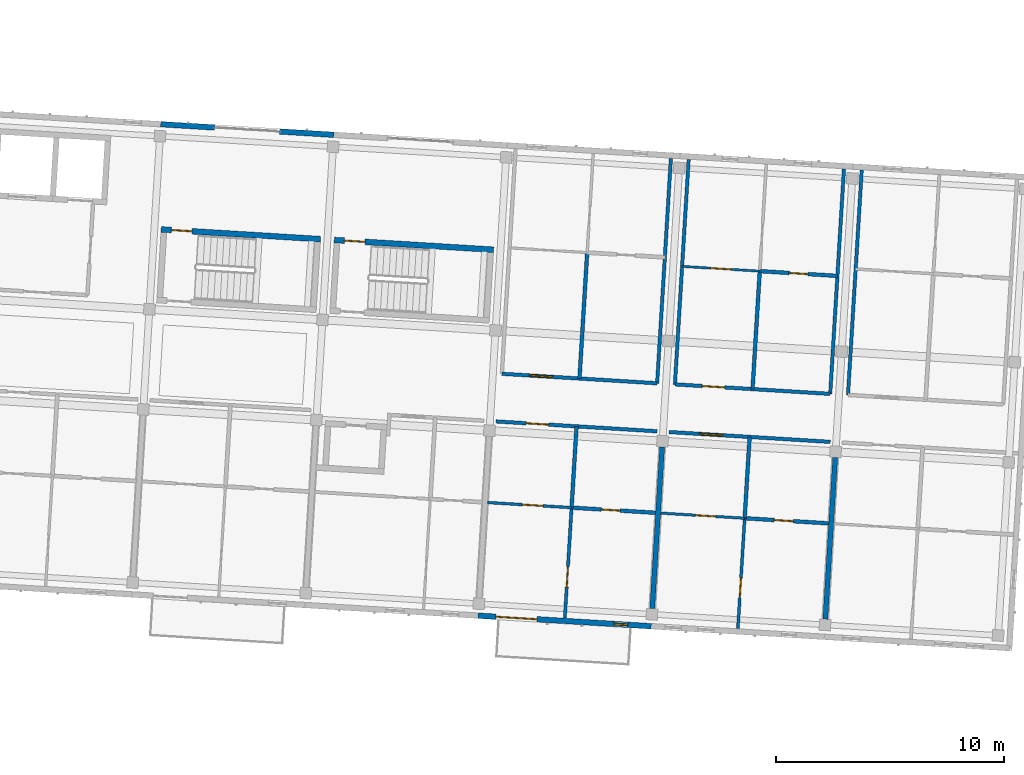
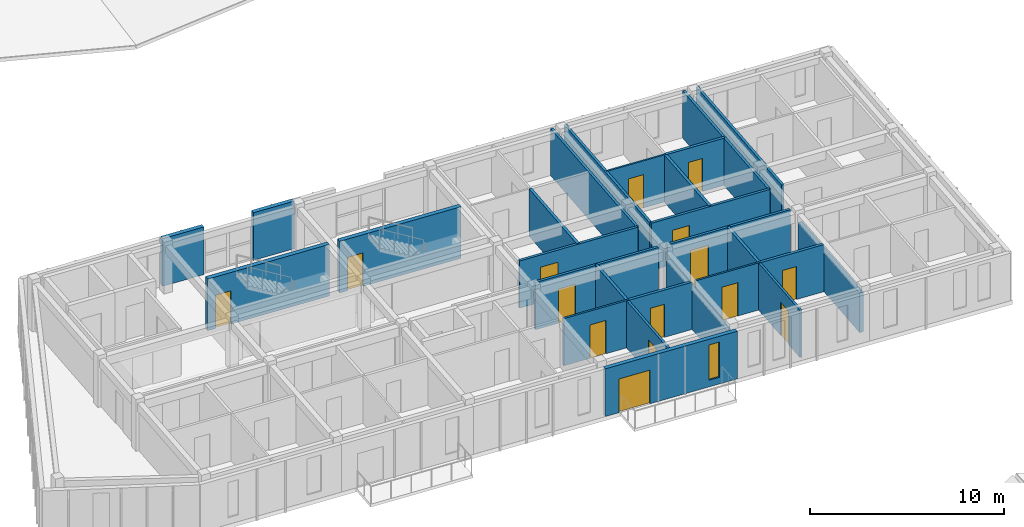
# One storey, part 22 of 74: 27 walls, 15 doors, 1 window, 16 openings.
"""IFC4 building model written with IfcOpenShell, lengths in metres."""

import ifcopenshell
import ifcopenshell.guid

model = None  # the IFC model being written
_history = None  # IfcOwnerHistory: only IFC2X3 demands one
_inside = {}  # id of a spatial element -> (the spatial element, [elements in it])
_under = {}  # id of a project, library or spatial element -> (it, [spatial elements below it])
_declared = {}  # id of a project -> (the project, [libraries it declares])
_typed = {}  # id of a type object -> (the type object, [elements of that type])
_made_of = {}  # id of a material, layer set ... -> (it, [elements and type objects made of it])


def new_model(schema):
    """Start an empty IFC model of exactly this schema.

    Asked for "IFC4X3", IfcOpenShell would pick the latest addendum, in which some entities
    have other attributes; the version numbers below select the first issue.
    IFC2X3 requires an IfcOwnerHistory on every rooted entity: one is made here for all.
    """
    global model, _history
    if schema == "IFC4X3":
        model = ifcopenshell.file(schema_version=(4, 3, 0, 0))
    else:
        model = ifcopenshell.file(schema=schema)
    _inside.clear()
    _under.clear()
    _declared.clear()
    _typed.clear()
    _made_of.clear()
    _history = None
    if model.schema == "IFC2X3":
        org = make("IfcOrganization", Name="unknown")
        user = make(
            "IfcPersonAndOrganization",
            ThePerson=make("IfcPerson", FamilyName="unknown"),
            TheOrganization=org,
        )
        app = make(
            "IfcApplication",
            ApplicationDeveloper=org,
            Version="unknown",
            ApplicationFullName="unknown",
            ApplicationIdentifier="unknown",
        )
        _history = make(
            "IfcOwnerHistory",
            OwningUser=user,
            OwningApplication=app,
            ChangeAction="ADDED",
            CreationDate=0,
        )
    return model


def make(cls, **values):
    """One entity of the class cls with the attributes given. An attribute that is None is left unset."""
    return model.create_entity(
        cls, **{name: value for name, value in values.items() if value is not None}
    )


def rooted(cls, **values):
    """An entity with a GlobalId (a new one), such as an element, a storey or a relation."""
    return make(cls, GlobalId=ifcopenshell.guid.new(), OwnerHistory=_history, **values)


def si_unit(unit_type, name, prefix=None):
    """IfcSIUnit, for example si_unit("LENGTHUNIT", "METRE", prefix="MILLI")."""
    return make("IfcSIUnit", UnitType=unit_type, Prefix=prefix, Name=name)


def assignment(units):
    """IfcUnitAssignment: the units of a project."""
    return None if units is None else make("IfcUnitAssignment", Units=units)


def point(xyz):
    """IfcCartesianPoint."""
    return None if xyz is None else make("IfcCartesianPoint", Coordinates=xyz)


def direction(xyz):
    """IfcDirection."""
    return None if xyz is None else make("IfcDirection", DirectionRatios=xyz)


def frame(location, z_axis=None, x_axis=None):
    """IfcAxis2Placement3D, a coordinate frame: its origin and axes. An axis left out is left unset."""
    return make(
        "IfcAxis2Placement3D",
        Location=point(location),
        Axis=direction(z_axis),
        RefDirection=direction(x_axis),
    )


def frame_2d(location, x_axis=None):
    """IfcAxis2Placement2D, a coordinate frame in the plane: its origin and x axis."""
    return make(
        "IfcAxis2Placement2D", Location=point(location), RefDirection=direction(x_axis)
    )


def origin():
    """The frame at (0, 0, 0) with its axes left unset."""
    return frame((0.0, 0.0, 0.0))


def place(relative_to, where):
    """IfcLocalPlacement: puts the frame where relative to a parent placement (None: the world)."""
    return make(
        "IfcLocalPlacement", PlacementRelTo=relative_to, RelativePlacement=where
    )


def context(
    kind, dimensions, precision=None, world=None, true_north=None, identifier=None
):
    """IfcGeometricRepresentationContext, for example the 3D "Model" context."""
    return make(
        "IfcGeometricRepresentationContext",
        ContextIdentifier=identifier,
        ContextType=kind,
        CoordinateSpaceDimension=dimensions,
        Precision=precision,
        WorldCoordinateSystem=world,
        TrueNorth=true_north,
    )


def subcontext(parent, identifier, kind, view, scale=None):
    """IfcGeometricRepresentationSubContext, for example "Body" below "Model"."""
    return make(
        "IfcGeometricRepresentationSubContext",
        ContextIdentifier=identifier,
        ContextType=kind,
        ParentContext=parent,
        TargetScale=scale,
        TargetView=view,
    )


def project(units=None, contexts=None):
    """IfcProject with its units and contexts."""
    return rooted(
        "IfcProject",
        Name="project",
        RepresentationContexts=contexts,
        UnitsInContext=assignment(units),
    )


def spatial(cls, under=None, at=None, **own):
    """A site, building, storey or space (cls), placed at a placement, below another one or the project."""
    s = rooted(cls, ObjectPlacement=at, **own)
    if under is not None:
        _under.setdefault(under.id(), (under, []))[1].append(s)
    return s


def profile(cls, at=None, kind="AREA", **sizes):
    """A parametric profile (cls). Its sizes go by their IFC names, for example OverallWidth=200.0."""
    return make(cls, ProfileType=kind, Position=at, **sizes)


def rectangle(**sizes):
    """IfcRectangleProfileDef."""
    return profile("IfcRectangleProfileDef", **sizes)


def extrude(swept, where, along, depth):
    """IfcExtrudedAreaSolid: the profile swept, set in the frame where, extruded along a direction by depth."""
    return make(
        "IfcExtrudedAreaSolid",
        SweptArea=swept,
        Position=where,
        ExtrudedDirection=direction(along),
        Depth=depth,
    )


def shape(context_of_items, identifier, shape_type, items):
    """IfcShapeRepresentation: the items that make up one representation, for example the "Body"."""
    return make(
        "IfcShapeRepresentation",
        ContextOfItems=context_of_items,
        RepresentationIdentifier=identifier,
        RepresentationType=shape_type,
        Items=items,
    )


def material(Name=None, Category=None):
    """IfcMaterial."""
    return make("IfcMaterial", Name=Name, Category=Category)


def layer(
    of_material, thickness, ventilated=None, Name=None, Category=None, Priority=None
):
    """IfcMaterialLayer: one layer of a wall or slab, of a material (None: an air gap)."""
    return make(
        "IfcMaterialLayer",
        Material=of_material,
        LayerThickness=thickness,
        IsVentilated=ventilated,
        Name=Name,
        Category=Category,
        Priority=Priority,
    )


def layer_set(layers, Name=None):
    """IfcMaterialLayerSet."""
    return make("IfcMaterialLayerSet", MaterialLayers=layers, LayerSetName=Name)


def made_of(thing, what):
    """Note that an element or type object is made of a material, layer set ...; save() writes the relation."""
    if what is not None:
        _made_of.setdefault(what.id(), (what, []))[1].append(thing)
    return thing


def type_object(cls, material=None, **own):
    """A type object (cls), such as IfcWallType, which elements share."""
    return made_of(rooted(cls, **own), material)


def element(
    cls,
    number,
    at=None,
    inside=None,
    cuts=None,
    type_object=None,
    material=None,
    context=None,
    identifier="Body",
    shape_type=None,
    held_by="IfcProductDefinitionShape",
    body=None,
    shapes=None,
    **own,
):
    """One element of the class cls, such as IfcWall. Its Tag is "e" and its number.

    at: its placement. inside: the storey or other place that contains it. cuts: it is an
    opening in that element (IfcRelVoidsElement). A single representation is given by context,
    identifier, shape_type and body (its items); several are given by shapes. held_by: the class
    of the entity that holds the representations. save() writes the other relations.
    """
    e = rooted(cls, Tag="e%d" % number, ObjectPlacement=at, **own)
    if body is not None:
        shapes = [shape(context, identifier, shape_type, body)]
    if shapes is not None:
        e.Representation = make(held_by, Representations=shapes)
    if inside is not None:
        _inside.setdefault(inside.id(), (inside, []))[1].append(e)
    if cuts is not None:
        rooted(
            "IfcRelVoidsElement", RelatingBuildingElement=cuts, RelatedOpeningElement=e
        )
    if type_object is not None:
        _typed.setdefault(type_object.id(), (type_object, []))[1].append(e)
    return made_of(e, material)


def fill(opening, filler):
    """IfcRelFillsElement: the door or window that sits in an opening."""
    return rooted(
        "IfcRelFillsElement",
        RelatingOpeningElement=opening,
        RelatedBuildingElement=filler,
    )


def aggregate(whole, parts):
    """IfcRelAggregates: a whole, such as a stair, and the parts it consists of."""
    return rooted("IfcRelAggregates", RelatingObject=whole, RelatedObjects=parts)


def save(model, path):
    """Write the relations noted so far, then the file.

    IfcRelAggregates (storeys below a building ...), IfcRelContainedInSpatialStructure (elements
    in a storey), IfcRelDefinesByType, IfcRelAssociatesMaterial and IfcRelDeclares: one each for
    every whole, place, type object, material and project.
    """
    for whole, parts in _under.values():
        aggregate(whole, parts)
    for where, things in _inside.values():
        rooted(
            "IfcRelContainedInSpatialStructure",
            RelatedElements=things,
            RelatingStructure=where,
        )
    for kind, things in _typed.values():
        rooted("IfcRelDefinesByType", RelatedObjects=things, RelatingType=kind)
    for what, things in _made_of.values():
        rooted("IfcRelAssociatesMaterial", RelatedObjects=things, RelatingMaterial=what)
    for by, libraries in _declared.values():
        rooted("IfcRelDeclares", RelatingContext=by, RelatedDefinitions=libraries)
    model.write(path)


model = new_model("IFC4")

# Units and contexts
model_context = context("Model", 3, precision=1e-05, world=origin(), true_north=direction((0.0, 1.0)))
body_context = subcontext(model_context, "Body", "Model", "MODEL_VIEW")
ifc_project = project(units=[si_unit("LENGTHUNIT", "METRE"), si_unit("AREAUNIT", "SQUARE_METRE"), si_unit("VOLUMEUNIT", "CUBIC_METRE"), si_unit("PLANEANGLEUNIT", "RADIAN"), si_unit("MASSUNIT", "GRAM", prefix="KILO")], contexts=[model_context])

# Site, building, storey
site_placement = place(None, origin())
site = spatial("IfcSite", under=ifc_project, at=site_placement, CompositionType="ELEMENT")
building_placement = place(site_placement, origin())
building = spatial("IfcBuilding", under=site, at=building_placement, Name="Kestramere Prow Commons", CompositionType="ELEMENT")
storey_placement = place(building_placement, frame((0.0, 0.0, 11.64990234375)))
storey = spatial("IfcBuildingStorey", under=building, at=storey_placement, Name="L03", CompositionType="ELEMENT", Elevation=11.64990234375)

# Wall, openings, door, window
ifc_material_1 = material(Name="Fluoropolymer Standing-Seam Zinc-Aluminium Cladding", Category="aluminium")
ifc_layer_1 = layer(ifc_material_1, 0.239990234375)
ifc_layer_set_1 = layer_set([ifc_layer_1], Name="Fluoropolymer Standing-Seam Zinc-Aluminium Cladding")
wall_type_1 = type_object("IfcWallType", Name="EW-SEAM-240", PredefinedType="SOLIDWALL", material=ifc_layer_set_1)
wall_1_placement = place(storey_placement, frame((89.811279296875, 44.1201171875, 0.0), z_axis=(0.0, 0.0, 1.0), x_axis=(-0.998135669243, 0.061034300063, 0.0)))
wall_1 = element("IfcWall", 1, at=wall_1_placement, inside=storey, type_object=wall_type_1, Name="Block C L03 South Standing-Seam Wall 4", PredefinedType="SOLIDWALL", context=body_context, shape_type="SweptSolid", body=[
    extrude(rectangle(XDim=7.60009765625, YDim=0.239990234375, at=frame_2d((3.800048828125, 0.0))), origin(), (0.0, 0.0, 1.0), 3.0),
])
opening_1_placement = place(wall_1_placement, frame((5.01904296875, 0.0, 0.0)))
opening_1 = element("IfcOpeningElement", 2, at=opening_1_placement, cuts=wall_1, Name="Opening GD-BAL-02", PredefinedType="OPENING", context=body_context, shape_type="SweptSolid", body=[
    extrude(rectangle(XDim=1.800048828125, YDim=2.1201171875, at=frame_2d((0.89990234375, 1.06005859375))), frame((0.0, 0.135009765625, 0.0), z_axis=(0.0, -1.0, 0.0), x_axis=(1.0, 0.0, 0.0)), (0.0, 0.0, 1.0), 0.27001953125),
])
opening_2_placement = place(wall_1_placement, frame((1.030029296875, 0.0, 0.419921875)))
opening_2 = element("IfcOpeningElement", 3, at=opening_2_placement, cuts=wall_1, Name="Opening WN-02", PredefinedType="OPENING", context=body_context, shape_type="SweptSolid", body=[
    extrude(rectangle(XDim=0.60009765625, YDim=2.219970703125, at=frame_2d((0.300048828125, 1.10986328125))), frame((0.0, 0.135009765625, 0.0), z_axis=(0.0, -1.0, 0.0), x_axis=(1.0, 0.0, 0.0)), (0.0, 0.0, 1.0), 0.27001953125),
])
ifc_material_2 = material(Name="Thermally-Broken Anodised Aluminium Glazed", Category="aluminium")
door_type_1 = type_object("IfcDoorType", Name="GD-BAL-1800", OperationType="SLIDING_TO_LEFT", PredefinedType="DOOR", material=ifc_material_2)
door_1_placement = place(opening_1_placement, origin())
door_1 = element("IfcDoor", 4, at=door_1_placement, inside=storey, type_object=door_type_1, Name="Block C L03 Balcony Door 4", OperationType="SLIDING_TO_LEFT", OverallHeight=2.1201171875, OverallWidth=1.800048828125, PredefinedType="DOOR", context=body_context, shape_type="SweptSolid", body=[
    extrude(rectangle(XDim=1.800048828125, YDim=2.1201171875, at=frame_2d((0.89990234375, 1.06005859375))), frame((0.0, 0.02490234375, 0.0), z_axis=(0.0, -1.0, 0.0), x_axis=(1.0, 0.0, 0.0)), (0.0, 0.0, 1.0), 0.050048828125),
])
fill(opening_1, door_1)
ifc_material_3 = material(Name="Low-E Laminated Double Glazing", Category="glass")
window_type = type_object("IfcWindowType", Name="WN-NAR-600A", PartitioningType="SINGLE_PANEL", PredefinedType="WINDOW", material=ifc_material_3)
window_placement = place(opening_2_placement, origin())
window = element("IfcWindow", 5, at=window_placement, inside=storey, type_object=window_type, Name="WN-C-L03-SR-3", OverallHeight=2.219970703125, OverallWidth=0.60009765625, PartitioningType="SINGLE_PANEL", PredefinedType="WINDOW", context=body_context, shape_type="SweptSolid", body=[
    extrude(rectangle(XDim=0.60009765625, YDim=2.219970703125, at=frame_2d((0.300048828125, 1.10986328125))), frame((0.0, 0.030029296875, 0.0), z_axis=(0.0, -1.0, 0.0), x_axis=(1.0, 0.0, 0.0)), (0.0, 0.0, 1.0), 0.06005859375),
])
fill(opening_2, window)

# Walls
wall_2_placement = place(storey_placement, frame((68.314453125, 66.12353515625, 0.0), z_axis=(0.0, 0.0, 1.0), x_axis=(0.998134103342, -0.061059902923, 0.0)))
element("IfcWall", 6, at=wall_2_placement, inside=storey, type_object=wall_type_1, Name="Block C L03 North Standing-Seam Pier 2L", PredefinedType="SOLIDWALL", context=body_context, shape_type="SweptSolid", body=[
    extrude(rectangle(XDim=2.375, YDim=0.239990234375, at=frame_2d((1.1875, 0.0))), origin(), (0.0, 0.0, 1.0), 3.0),
])
wall_3_placement = place(storey_placement, frame((73.52978515625, 65.804443359375, 0.0), z_axis=(0.0, 0.0, 1.0), x_axis=(0.998133720034, -0.061066168473, 0.0)))
element("IfcWall", 7, at=wall_3_placement, inside=storey, type_object=wall_type_1, Name="Block C L03 North Standing-Seam Pier 2R", PredefinedType="SOLIDWALL", context=body_context, shape_type="SweptSolid", body=[
    extrude(rectangle(XDim=2.374755859375, YDim=0.239990234375, at=frame_2d((1.1875, 0.0))), origin(), (0.0, 0.0, 1.0), 3.0),
])

# Wall, opening, door
ifc_material_4 = material(Name="Concrete C40/50", Category="concrete")
ifc_layer_2 = layer(ifc_material_4, 0.25)
ifc_layer_set_2 = layer_set([ifc_layer_2], Name="Concrete C40/50")
wall_type_2 = type_object("IfcWallType", Name="W-CORE-250", PredefinedType="SHEAR", material=ifc_layer_set_2)
wall_4_placement = place(storey_placement, frame((68.3330078125, 61.513671875, 0.0), z_axis=(0.0, 0.0, 1.0), x_axis=(0.998135676081, -0.061034188237, 0.0)))
wall_4 = element("IfcWall", 8, at=wall_4_placement, inside=storey, type_object=wall_type_2, Name="ST-C1 L03 North Shaft Wall", PredefinedType="SHEAR", context=body_context, shape_type="SweptSolid", body=[
    extrude(rectangle(XDim=7.0, YDim=0.25, at=frame_2d((3.5, 0.0))), origin(), (0.0, 0.0, 1.0), 3.25),
])
opening_3_placement = place(wall_4_placement, frame((0.449951171875, 0.0, 0.0)))
opening_3 = element("IfcOpeningElement", 9, at=opening_3_placement, cuts=wall_4, Name="Opening ID-08", PredefinedType="OPENING", context=body_context, shape_type="SweptSolid", body=[
    extrude(rectangle(XDim=0.89990234375, YDim=2.10009765625, at=frame_2d((0.449951171875, 1.050048828125))), frame((0.0, 0.139892578125, 0.0), z_axis=(0.0, -1.0, 0.0), x_axis=(1.0, 0.0, 0.0)), (0.0, 0.0, 1.0), 0.280029296875),
])
ifc_material_5 = material(Name="Engineered Timber Flush Door", Category="wood")
door_type_2 = type_object("IfcDoorType", Name="D-RM-01", OperationType="NOTDEFINED", PredefinedType="DOOR", material=ifc_material_5)
door_2_placement = place(opening_3_placement, origin())
door_2 = element("IfcDoor", 10, at=door_2_placement, inside=storey, type_object=door_type_2, Name="ST-C1 L03 North Room Door", OperationType="SINGLE_SWING_RIGHT", OverallHeight=2.10009765625, OverallWidth=0.89990234375, PredefinedType="DOOR", context=body_context, shape_type="SweptSolid", body=[
    extrude(rectangle(XDim=0.89990234375, YDim=2.10009765625, at=frame_2d((0.449951171875, 1.050048828125))), frame((0.0, 0.02490234375, 0.0), z_axis=(0.0, -1.0, 0.0), x_axis=(1.0, 0.0, 0.0)), (0.0, 0.0, 1.0), 0.050048828125),
])
fill(opening_3, door_2)

wall_5_placement = place(storey_placement, frame((75.9189453125, 61.0498046875, 0.0), z_axis=(0.0, 0.0, 1.0), x_axis=(0.998135546153, -0.061036313012, 0.0)))
wall_5 = element("IfcWall", 11, at=wall_5_placement, inside=storey, type_object=wall_type_2, Name="ST-C2 L03 North Shaft Wall", PredefinedType="SHEAR", context=body_context, shape_type="SweptSolid", body=[
    extrude(rectangle(XDim=6.999755859375, YDim=0.25, at=frame_2d((3.5, 0.0))), origin(), (0.0, 0.0, 1.0), 3.25),
])
opening_4_placement = place(wall_5_placement, frame((0.449951171875, 0.0, 0.0)))
opening_4 = element("IfcOpeningElement", 12, at=opening_4_placement, cuts=wall_5, Name="Opening ID-08", PredefinedType="OPENING", context=body_context, shape_type="SweptSolid", body=[
    extrude(rectangle(XDim=0.89990234375, YDim=2.10009765625, at=frame_2d((0.449951171875, 1.050048828125))), frame((0.0, 0.139892578125, 0.0), z_axis=(0.0, -1.0, 0.0), x_axis=(1.0, 0.0, 0.0)), (0.0, 0.0, 1.0), 0.280029296875),
])
door_3_placement = place(opening_4_placement, origin())
door_3 = element("IfcDoor", 13, at=door_3_placement, inside=storey, type_object=door_type_2, Name="ST-C2 L03 North Room Door", OperationType="SINGLE_SWING_RIGHT", OverallHeight=2.10009765625, OverallWidth=0.89990234375, PredefinedType="DOOR", context=body_context, shape_type="SweptSolid", body=[
    extrude(rectangle(XDim=0.89990234375, YDim=2.10009765625, at=frame_2d((0.449951171875, 1.050048828125))), frame((0.0, 0.02490234375, 0.0), z_axis=(0.0, -1.0, 0.0), x_axis=(1.0, 0.0, 0.0)), (0.0, 0.0, 1.0), 0.050048828125),
])
fill(opening_4, door_3)

ifc_material_6 = material(Name="Fire-Rated Calcium Silicate Wall")
ifc_layer_3 = layer(ifc_material_6, 0.155029296875)
ifc_layer_set_3 = layer_set([ifc_layer_3], Name="Fire-Rated Calcium Silicate Wall")
wall_type_3 = type_object("IfcWallType", Name="W-FIRE-150", PredefinedType="PARTITIONING", material=ifc_layer_set_3)
wall_6_placement = place(storey_placement, frame((83.006591796875, 53.09716796875, 0.0), z_axis=(0.0, 0.0, 1.0), x_axis=(0.998135666539, -0.061034344288, 0.0)))
wall_6 = element("IfcWall", 14, at=wall_6_placement, inside=storey, type_object=wall_type_3, Name="Interior Partition PW-C-L03-CS-3", PredefinedType="PARTITIONING", context=body_context, shape_type="SweptSolid", body=[
    extrude(rectangle(XDim=7.080078125, YDim=0.155029296875, at=frame_2d((3.5400390625, 0.0))), origin(), (0.0, 0.0, 1.0), 2.97021484375),
])
opening_5_placement = place(wall_6_placement, frame((1.330078125, 0.0, 0.0)))
opening_5 = element("IfcOpeningElement", 15, at=opening_5_placement, cuts=wall_6, Name="Opening ID-04", PredefinedType="OPENING", context=body_context, shape_type="SweptSolid", body=[
    extrude(rectangle(XDim=0.97998046875, YDim=2.14990234375, at=frame_2d((0.489990234375, 1.074951171875))), frame((0.0, 0.092529296875, 0.0), z_axis=(0.0, -1.0, 0.0), x_axis=(1.0, 0.0, 0.0)), (0.0, 0.0, 1.0), 0.18505859375),
])
ifc_material_7 = material(Name="Hardwood Fire-Rated Flat Entrance Door", Category="wood")
door_type_3 = type_object("IfcDoorType", Name="FD-ENT-01", OperationType="NOTDEFINED", PredefinedType="DOOR", material=ifc_material_7)
door_4_placement = place(opening_5_placement, origin())
door_4 = element("IfcDoor", 16, at=door_4_placement, inside=storey, type_object=door_type_3, Name="Interior Door DR-C-L03-ENT-S3", OperationType="SINGLE_SWING_LEFT", OverallHeight=2.14990234375, OverallWidth=0.97998046875, PredefinedType="DOOR", context=body_context, shape_type="SweptSolid", body=[
    extrude(rectangle(XDim=0.97998046875, YDim=2.14990234375, at=frame_2d((0.489990234375, 1.074951171875))), frame((0.0, 0.02490234375, 0.0), z_axis=(0.0, -1.0, 0.0), x_axis=(1.0, 0.0, 0.0)), (0.0, 0.0, 1.0), 0.050048828125),
])
fill(opening_5, door_4)

wall_7_placement = place(storey_placement, frame((90.592529296875, 52.63330078125, 0.0), z_axis=(0.0, 0.0, 1.0), x_axis=(0.998135538078, -0.061036445065, 0.0)))
wall_7 = element("IfcWall", 17, at=wall_7_placement, inside=storey, type_object=wall_type_3, Name="Interior Partition PW-C-L03-CS-4", PredefinedType="PARTITIONING", context=body_context, shape_type="SweptSolid", body=[
    extrude(rectangle(XDim=7.079833984375, YDim=0.155029296875, at=frame_2d((3.5400390625, 0.0))), origin(), (0.0, 0.0, 1.0), 2.97021484375),
])
opening_6_placement = place(wall_7_placement, frame((1.330078125, 0.0, 0.0)))
opening_6 = element("IfcOpeningElement", 18, at=opening_6_placement, cuts=wall_7, Name="Opening ID-05", PredefinedType="OPENING", context=body_context, shape_type="SweptSolid", body=[
    extrude(rectangle(XDim=1.02001953125, YDim=2.199951171875, at=frame_2d((0.510009765625, 1.10009765625))), frame((0.0, 0.092529296875, 0.0), z_axis=(0.0, -1.0, 0.0), x_axis=(1.0, 0.0, 0.0)), (0.0, 0.0, 1.0), 0.18505859375),
])
door_type_4 = type_object("IfcDoorType", Name="FD-ENT-02", OperationType="NOTDEFINED", PredefinedType="DOOR", material=ifc_material_7)
door_5_placement = place(opening_6_placement, origin())
door_5 = element("IfcDoor", 19, at=door_5_placement, inside=storey, type_object=door_type_4, Name="Interior Door DR-C-L03-ENT-S4", OperationType="SINGLE_SWING_RIGHT", OverallHeight=2.199951171875, OverallWidth=1.02001953125, PredefinedType="DOOR", context=body_context, shape_type="SweptSolid", body=[
    extrude(rectangle(XDim=1.02001953125, YDim=2.199951171875, at=frame_2d((0.510009765625, 1.10009765625))), frame((0.0, 0.02490234375, 0.0), z_axis=(0.0, -1.0, 0.0), x_axis=(1.0, 0.0, 0.0)), (0.0, 0.0, 1.0), 0.050048828125),
])
fill(opening_6, door_5)

wall_8_placement = place(storey_placement, frame((83.2646484375, 55.185302734375, 0.0), z_axis=(0.0, 0.0, 1.0), x_axis=(0.998135531673, -0.061036549799, 0.0)))
wall_8 = element("IfcWall", 20, at=wall_8_placement, inside=storey, type_object=wall_type_3, Name="Interior Partition PW-C-L03-CN-3", PredefinedType="PARTITIONING", context=body_context, shape_type="SweptSolid", body=[
    extrude(rectangle(XDim=6.81982421875, YDim=0.155029296875, at=frame_2d((3.409912109375, 0.0))), origin(), (0.0, 0.0, 1.0), 2.97021484375),
])
opening_7_placement = place(wall_8_placement, frame((1.205078125, 0.0, 0.0)))
opening_7 = element("IfcOpeningElement", 21, at=opening_7_placement, cuts=wall_8, Name="Opening ID-05", PredefinedType="OPENING", context=body_context, shape_type="SweptSolid", body=[
    extrude(rectangle(XDim=1.02001953125, YDim=2.199951171875, at=frame_2d((0.510009765625, 1.10009765625))), frame((0.0, 0.092529296875, 0.0), z_axis=(0.0, -1.0, 0.0), x_axis=(1.0, 0.0, 0.0)), (0.0, 0.0, 1.0), 0.18505859375),
])
door_6_placement = place(opening_7_placement, origin())
door_6 = element("IfcDoor", 22, at=door_6_placement, inside=storey, type_object=door_type_4, Name="Interior Door DR-C-L03-ENT-N3", OperationType="SINGLE_SWING_RIGHT", OverallHeight=2.199951171875, OverallWidth=1.02001953125, PredefinedType="DOOR", context=body_context, shape_type="SweptSolid", body=[
    extrude(rectangle(XDim=1.02001953125, YDim=2.199951171875, at=frame_2d((0.510009765625, 1.10009765625))), frame((0.0, 0.02490234375, 0.0), z_axis=(0.0, -1.0, 0.0), x_axis=(1.0, 0.0, 0.0)), (0.0, 0.0, 1.0), 0.050048828125),
])
fill(opening_7, door_6)

wall_9_placement = place(storey_placement, frame((90.850341796875, 54.721435546875, 0.0), z_axis=(0.0, 0.0, 1.0), x_axis=(0.998135665032, -0.06103436893, 0.0)))
wall_9 = element("IfcWall", 23, at=wall_9_placement, inside=storey, type_object=wall_type_3, Name="Interior Partition PW-C-L03-CN-4", PredefinedType="PARTITIONING", context=body_context, shape_type="SweptSolid", body=[
    extrude(rectangle(XDim=6.820068359375, YDim=0.155029296875, at=frame_2d((3.41015625, 0.0))), origin(), (0.0, 0.0, 1.0), 2.97021484375),
])
opening_8_placement = place(wall_9_placement, frame((1.205078125, 0.0, 0.0)))
opening_8 = element("IfcOpeningElement", 24, at=opening_8_placement, cuts=wall_9, Name="Opening ID-04", PredefinedType="OPENING", context=body_context, shape_type="SweptSolid", body=[
    extrude(rectangle(XDim=0.97998046875, YDim=2.14990234375, at=frame_2d((0.489990234375, 1.074951171875))), frame((0.0, 0.092529296875, 0.0), z_axis=(0.0, -1.0, 0.0), x_axis=(1.0, 0.0, 0.0)), (0.0, 0.0, 1.0), 0.18505859375),
])
door_7_placement = place(opening_8_placement, origin())
door_7 = element("IfcDoor", 25, at=door_7_placement, inside=storey, type_object=door_type_3, Name="Interior Door DR-C-L03-ENT-N4", OperationType="SINGLE_SWING_LEFT", OverallHeight=2.14990234375, OverallWidth=0.97998046875, PredefinedType="DOOR", context=body_context, shape_type="SweptSolid", body=[
    extrude(rectangle(XDim=0.97998046875, YDim=2.14990234375, at=frame_2d((0.489990234375, 1.074951171875))), frame((0.0, 0.02490234375, 0.0), z_axis=(0.0, -1.0, 0.0), x_axis=(1.0, 0.0, 0.0)), (0.0, 0.0, 1.0), 0.050048828125),
])
fill(opening_8, door_7)

ifc_material_8 = material(Name="Gypsum Acoustic Drywall")
ifc_layer_4 = layer(ifc_material_8, 0.10009765625)
ifc_layer_set_4 = layer_set([ifc_layer_4], Name="Gypsum Acoustic Drywall")
wall_type_4 = type_object("IfcWallType", Name="W-PART-100", PredefinedType="PARTITIONING", material=ifc_layer_set_4)
wall_10_placement = place(storey_placement, frame((91.16650390625, 59.891845703125, 0.0), z_axis=(0.0, 0.0, 1.0), x_axis=(0.998133617109, -0.061067850767, 0.0)))
wall_10 = element("IfcWall", 26, at=wall_10_placement, inside=storey, type_object=wall_type_4, Name="Interior Partition PW-C-L03-MIDN1-4", PredefinedType="PARTITIONING", context=body_context, shape_type="SweptSolid", body=[
    extrude(rectangle(XDim=3.41015625, YDim=0.10009765625, at=frame_2d((1.705078125, 0.0))), origin(), (0.0, 0.0, 1.0), 2.97021484375),
])
opening_9_placement = place(wall_10_placement, frame((1.2548828125, 0.0, 0.0)))
opening_9 = element("IfcOpeningElement", 27, at=opening_9_placement, cuts=wall_10, Name="Opening ID-10", PredefinedType="OPENING", context=body_context, shape_type="SweptSolid", body=[
    extrude(rectangle(XDim=0.8798828125, YDim=2.10009765625, at=frame_2d((0.43994140625, 1.050048828125))), frame((0.0, 0.06494140625, 0.0), z_axis=(0.0, -1.0, 0.0), x_axis=(1.0, 0.0, 0.0)), (0.0, 0.0, 1.0), 0.130126953125),
])
ifc_material_9 = material(Name="Engineered Timber Bedroom Door", Category="wood")
door_type_5 = type_object("IfcDoorType", Name="D-RM-03", OperationType="NOTDEFINED", PredefinedType="DOOR", material=ifc_material_9)
door_8_placement = place(opening_9_placement, origin())
door_8 = element("IfcDoor", 28, at=door_8_placement, inside=storey, type_object=door_type_5, Name="Interior Door DR-C-L03-KL-N4", OperationType="SINGLE_SWING_LEFT", OverallHeight=2.10009765625, OverallWidth=0.8798828125, PredefinedType="DOOR", context=body_context, shape_type="SweptSolid", body=[
    extrude(rectangle(XDim=0.8798828125, YDim=2.10009765625, at=frame_2d((0.43994140625, 1.050048828125))), frame((0.0, 0.02490234375, 0.0), z_axis=(0.0, -1.0, 0.0), x_axis=(1.0, 0.0, 0.0)), (0.0, 0.0, 1.0), 0.050048828125),
])
fill(opening_9, door_8)

ifc_layer_5 = layer(ifc_material_8, 0.110107421875)
ifc_layer_set_5 = layer_set([ifc_layer_5], Name="Gypsum Acoustic Drywall")
wall_type_5 = type_object("IfcWallType", Name="W-PART-110", PredefinedType="PARTITIONING", material=ifc_layer_set_5)
wall_11_placement = place(storey_placement, frame((90.229736328125, 49.078857421875, 0.0), z_axis=(0.0, 0.0, 1.0), x_axis=(0.998132682596, -0.061083123148, 0.0)))
wall_11 = element("IfcWall", 29, at=wall_11_placement, inside=storey, type_object=wall_type_5, Name="Interior Partition PW-C-L03-MIDS1-4", PredefinedType="PARTITIONING", context=body_context, shape_type="SweptSolid", body=[
    extrude(rectangle(XDim=3.68505859375, YDim=0.110107421875, at=frame_2d((1.842529296875, 0.0))), origin(), (0.0, 0.0, 1.0), 2.97021484375),
])
opening_10_placement = place(wall_11_placement, frame((1.52490234375, 0.0, 0.0)))
opening_10 = element("IfcOpeningElement", 30, at=opening_10_placement, cuts=wall_11, Name="Opening ID-08", PredefinedType="OPENING", context=body_context, shape_type="SweptSolid", body=[
    extrude(rectangle(XDim=0.89990234375, YDim=2.10009765625, at=frame_2d((0.449951171875, 1.050048828125))), frame((0.0, 0.070068359375, 0.0), z_axis=(0.0, -1.0, 0.0), x_axis=(1.0, 0.0, 0.0)), (0.0, 0.0, 1.0), 0.14013671875),
])
door_9_placement = place(opening_10_placement, origin())
door_9 = element("IfcDoor", 31, at=door_9_placement, inside=storey, type_object=door_type_2, Name="Interior Door DR-C-L03-KL-S4", OperationType="SINGLE_SWING_RIGHT", OverallHeight=2.10009765625, OverallWidth=0.89990234375, PredefinedType="DOOR", context=body_context, shape_type="SweptSolid", body=[
    extrude(rectangle(XDim=0.89990234375, YDim=2.10009765625, at=frame_2d((0.449951171875, 1.050048828125))), frame((0.0, 0.02490234375, 0.0), z_axis=(0.0, -1.0, 0.0), x_axis=(1.0, 0.0, 0.0)), (0.0, 0.0, 1.0), 0.050048828125),
])
fill(opening_10, door_9)

ifc_material_10 = material(Name="Lightweight Blockwork and Plaster", Category="masonry")
ifc_layer_6 = layer(ifc_material_10, 0.1201171875)
ifc_layer_set_6 = layer_set([ifc_layer_6], Name="Lightweight Blockwork and Plaster")
wall_type_6 = type_object("IfcWallType", Name="W-PART-120", PredefinedType="PARTITIONING", material=ifc_layer_set_6)
wall_12_placement = place(storey_placement, frame((82.64404296875, 49.542724609375, 0.0), z_axis=(0.0, 0.0, 1.0), x_axis=(0.998136472989, -0.061021154439, 0.0)))
wall_12 = element("IfcWall", 32, at=wall_12_placement, inside=storey, type_object=wall_type_6, Name="Interior Partition PW-C-L03-MIDS1-3", PredefinedType="PARTITIONING", context=body_context, shape_type="SweptSolid", body=[
    extrude(rectangle(XDim=3.684814453125, YDim=0.1201171875, at=frame_2d((1.84228515625, 0.0))), origin(), (0.0, 0.0, 1.0), 2.97021484375),
])
opening_11_placement = place(wall_12_placement, frame((1.52490234375, 0.0, 0.0)))
opening_11 = element("IfcOpeningElement", 33, at=opening_11_placement, cuts=wall_12, Name="Opening ID-08", PredefinedType="OPENING", context=body_context, shape_type="SweptSolid", body=[
    extrude(rectangle(XDim=0.89990234375, YDim=2.10009765625, at=frame_2d((0.449951171875, 1.050048828125))), frame((0.0, 0.074951171875, 0.0), z_axis=(0.0, -1.0, 0.0), x_axis=(1.0, 0.0, 0.0)), (0.0, 0.0, 1.0), 0.150146484375),
])
door_10_placement = place(opening_11_placement, origin())
door_10 = element("IfcDoor", 34, at=door_10_placement, inside=storey, type_object=door_type_2, Name="Interior Door DR-C-L03-KL-S3", OperationType="SINGLE_SWING_RIGHT", OverallHeight=2.10009765625, OverallWidth=0.89990234375, PredefinedType="DOOR", context=body_context, shape_type="SweptSolid", body=[
    extrude(rectangle(XDim=0.89990234375, YDim=2.10009765625, at=frame_2d((0.449951171875, 1.050048828125))), frame((0.0, 0.02490234375, 0.0), z_axis=(0.0, -1.0, 0.0), x_axis=(1.0, 0.0, 0.0)), (0.0, 0.0, 1.0), 0.050048828125),
])
fill(opening_11, door_10)

ifc_layer_7 = layer(ifc_material_10, 0.1298828125)
ifc_layer_set_7 = layer_set([ifc_layer_7], Name="Lightweight Blockwork and Plaster")
wall_type_7 = type_object("IfcWallType", Name="W-PART-130", PredefinedType="PARTITIONING", material=ifc_layer_set_7)
wall_13_placement = place(storey_placement, frame((93.6123046875, 44.02294921875, 0.0), z_axis=(0.0, 0.0, 1.0), x_axis=(0.061087499584, 0.99813241476, 0.0)))
wall_13 = element("IfcWall", 35, at=wall_13_placement, inside=storey, type_object=wall_type_7, Name="Interior Partition PW-C-L03-LB-S4", PredefinedType="PARTITIONING", context=body_context, shape_type="SweptSolid", body=[
    extrude(rectangle(XDim=4.83984375, YDim=0.1298828125, at=frame_2d((2.419921875, 0.0))), origin(), (0.0, 0.0, 1.0), 2.97021484375),
])
opening_12_placement = place(wall_13_placement, frame((1.35009765625, 0.0, 0.0)))
opening_12 = element("IfcOpeningElement", 36, at=opening_12_placement, cuts=wall_13, Name="Opening ID-10", PredefinedType="OPENING", context=body_context, shape_type="SweptSolid", body=[
    extrude(rectangle(XDim=0.8798828125, YDim=2.10009765625, at=frame_2d((0.43994140625, 1.050048828125))), frame((0.0, 0.079833984375, 0.0), z_axis=(0.0, -1.0, 0.0), x_axis=(1.0, 0.0, 0.0)), (0.0, 0.0, 1.0), 0.159912109375),
])
door_11_placement = place(opening_12_placement, origin())
door_11 = element("IfcDoor", 37, at=door_11_placement, inside=storey, type_object=door_type_5, Name="Interior Door DR-C-L03-BED-S4", OperationType="SINGLE_SWING_LEFT", OverallHeight=2.10009765625, OverallWidth=0.8798828125, PredefinedType="DOOR", context=body_context, shape_type="SweptSolid", body=[
    extrude(rectangle(XDim=0.8798828125, YDim=2.10009765625, at=frame_2d((0.43994140625, 1.050048828125))), frame((0.0, 0.02490234375, 0.0), z_axis=(0.0, -1.0, 0.0), x_axis=(1.0, 0.0, 0.0)), (0.0, 0.0, 1.0), 0.050048828125),
])
fill(opening_12, door_11)

ifc_material_11 = material(Name="Masonry Compartment Wall", Category="masonry")
ifc_layer_8 = layer(ifc_material_11, 0.139892578125)
ifc_layer_set_8 = layer_set([ifc_layer_8], Name="Masonry Compartment Wall")
wall_type_8 = type_object("IfcWallType", Name="W-PART-140", PredefinedType="PARTITIONING", material=ifc_layer_set_8)
wall_14_placement = place(storey_placement, frame((86.026611328125, 44.48681640625, 0.0), z_axis=(0.0, 0.0, 1.0), x_axis=(0.061034170677, 0.998135677155, 0.0)))
wall_14 = element("IfcWall", 38, at=wall_14_placement, inside=storey, type_object=wall_type_8, Name="Interior Partition PW-C-L03-LB-S3", PredefinedType="PARTITIONING", context=body_context, shape_type="SweptSolid", body=[
    extrude(rectangle(XDim=4.840087890625, YDim=0.139892578125, at=frame_2d((2.419921875, 0.0))), origin(), (0.0, 0.0, 1.0), 2.97021484375),
])
opening_13_placement = place(wall_14_placement, frame((1.35009765625, 0.0, 0.0)))
opening_13 = element("IfcOpeningElement", 39, at=opening_13_placement, cuts=wall_14, Name="Opening ID-08", PredefinedType="OPENING", context=body_context, shape_type="SweptSolid", body=[
    extrude(rectangle(XDim=0.89990234375, YDim=2.10009765625, at=frame_2d((0.449951171875, 1.050048828125))), frame((0.0, 0.0849609375, 0.0), z_axis=(0.0, -1.0, 0.0), x_axis=(1.0, 0.0, 0.0)), (0.0, 0.0, 1.0), 0.169921875),
])
door_12_placement = place(opening_13_placement, origin())
door_12 = element("IfcDoor", 40, at=door_12_placement, inside=storey, type_object=door_type_2, Name="Interior Door DR-C-L03-BED-S3", OperationType="SINGLE_SWING_RIGHT", OverallHeight=2.10009765625, OverallWidth=0.89990234375, PredefinedType="DOOR", context=body_context, shape_type="SweptSolid", body=[
    extrude(rectangle(XDim=0.89990234375, YDim=2.10009765625, at=frame_2d((0.449951171875, 1.050048828125))), frame((0.0, 0.02490234375, 0.0), z_axis=(0.0, -1.0, 0.0), x_axis=(1.0, 0.0, 0.0)), (0.0, 0.0, 1.0), 0.050048828125),
])
fill(opening_13, door_12)

# Walls
ifc_layer_9 = layer(ifc_material_11, 0.14990234375)
ifc_layer_set_9 = layer_set([ifc_layer_9], Name="Masonry Compartment Wall")
wall_type_9 = type_object("IfcWallType", Name="W-PART-150", PredefinedType="PARTITIONING", material=ifc_layer_set_9)
for number, where, z_axis, x_axis, name in (
    (41, (90.07177734375, 54.76904296875, 0.0), (0.0, 0.0, 1.0), (0.061047700465, 0.998134849741, 0.0), "Interior Partition PW-C-L03-NWR-3"),
    (42, (90.850341796875, 54.721435546875, 0.0), (0.0, 0.0, 1.0), (0.061047700465, 0.998134849741, 0.0), "Interior Partition PW-C-L03-NWL-4"),
    (43, (97.65771484375, 54.30517578125, 0.0), (0.0, 0.0, 1.0), (0.061047700465, 0.998134849741, 0.0), "Interior Partition PW-C-L03-NWR-4"),
    (44, (98.436279296875, 54.257568359375, 0.0), (0.0, 0.0, 1.0), (0.061047700465, 0.998134849741, 0.0), "Interior Partition PW-C-L03-NWL-5"),
):
    element("IfcWall", number, at=place(storey_placement, frame(where, z_axis=z_axis, x_axis=x_axis)), inside=storey, type_object=wall_type_9, Name=name, PredefinedType="PARTITIONING", context=body_context, shape_type="SweptSolid", body=[
        extrude(rectangle(XDim=9.869873046875, YDim=0.14990234375, at=frame_2d((4.93505859375, 0.0))), origin(), (0.0, 0.0, 1.0), 2.97021484375),
    ])

# Wall, opening, door
ifc_material_12 = material(Name="Waterproof Sanitary Masonry Wall", Category="masonry")
ifc_layer_10 = layer(ifc_material_12, 0.1650390625)
ifc_layer_set_10 = layer_set([ifc_layer_10], Name="Waterproof Sanitary Masonry Wall")
wall_type_10 = type_object("IfcWallType", Name="W-PLUMB-150", PredefinedType="PLUMBINGWALL", material=ifc_layer_set_10)
wall_15_placement = place(storey_placement, frame((86.322021484375, 49.31787109375, 0.0), z_axis=(0.0, 0.0, 1.0), x_axis=(0.998132682596, -0.061083123148, 0.0)))
wall_15 = element("IfcWall", 45, at=wall_15_placement, inside=storey, type_object=wall_type_10, Name="Interior Partition PW-C-L03-MIDS2-3", PredefinedType="PLUMBINGWALL", context=body_context, shape_type="SweptSolid", body=[
    extrude(rectangle(XDim=3.68505859375, YDim=0.1650390625, at=frame_2d((1.842529296875, 0.0))), origin(), (0.0, 0.0, 1.0), 2.97021484375),
])
opening_14_placement = place(wall_15_placement, frame((1.300048828125, 0.0, 0.0)))
opening_14 = element("IfcOpeningElement", 46, at=opening_14_placement, cuts=wall_15, Name="Opening ID-11", PredefinedType="OPENING", context=body_context, shape_type="SweptSolid", body=[
    extrude(rectangle(XDim=0.820068359375, YDim=2.080078125, at=frame_2d((0.41015625, 1.0400390625))), frame((0.0, 0.097412109375, 0.0), z_axis=(0.0, -1.0, 0.0), x_axis=(1.0, 0.0, 0.0)), (0.0, 0.0, 1.0), 0.195068359375),
])
ifc_material_13 = material(Name="Moisture-Resistant Timber Bathroom Door", Category="wood")
door_type_6 = type_object("IfcDoorType", Name="D-BT-01", OperationType="NOTDEFINED", PredefinedType="DOOR", material=ifc_material_13)
door_13_placement = place(opening_14_placement, origin())
door_13 = element("IfcDoor", 47, at=door_13_placement, inside=storey, type_object=door_type_6, Name="Interior Door DR-C-L03-BTH-S3", OperationType="SINGLE_SWING_LEFT", OverallHeight=2.080078125, OverallWidth=0.820068359375, PredefinedType="DOOR", context=body_context, shape_type="SweptSolid", body=[
    extrude(rectangle(XDim=0.820068359375, YDim=2.080078125, at=frame_2d((0.41015625, 1.0400390625))), frame((0.0, 0.02490234375, 0.0), z_axis=(0.0, -1.0, 0.0), x_axis=(1.0, 0.0, 0.0)), (0.0, 0.0, 1.0), 0.050048828125),
])
fill(opening_14, door_13)

# Wall
wall_16_placement = place(storey_placement, frame((86.322021484375, 49.31787109375, 0.0), z_axis=(0.0, 0.0, 1.0), x_axis=(0.061071129902, 0.998133416479, 0.0)))
element("IfcWall", 48, at=wall_16_placement, inside=storey, type_object=wall_type_10, Name="Interior Partition PW-C-L03-KB-S3", PredefinedType="PLUMBINGWALL", context=body_context, shape_type="SweptSolid", body=[
    extrude(rectangle(XDim=3.56982421875, YDim=0.1650390625, at=frame_2d((1.784912109375, 0.0))), origin(), (0.0, 0.0, 1.0), 2.97021484375),
])

# Wall, opening, door
wall_17_placement = place(storey_placement, frame((93.907958984375, 48.853759765625, 0.0), z_axis=(0.0, 0.0, 1.0), x_axis=(0.998136472989, -0.061021154439, 0.0)))
wall_17 = element("IfcWall", 49, at=wall_17_placement, inside=storey, type_object=wall_type_10, Name="Interior Partition PW-C-L03-MIDS2-4", PredefinedType="PLUMBINGWALL", context=body_context, shape_type="SweptSolid", body=[
    extrude(rectangle(XDim=3.684814453125, YDim=0.1650390625, at=frame_2d((1.84228515625, 0.0))), origin(), (0.0, 0.0, 1.0), 2.97021484375),
])
opening_15_placement = place(wall_17_placement, frame((1.300048828125, 0.0, 0.0)))
opening_15 = element("IfcOpeningElement", 50, at=opening_15_placement, cuts=wall_17, Name="Opening ID-11", PredefinedType="OPENING", context=body_context, shape_type="SweptSolid", body=[
    extrude(rectangle(XDim=0.820068359375, YDim=2.080078125, at=frame_2d((0.41015625, 1.0400390625))), frame((0.0, 0.097412109375, 0.0), z_axis=(0.0, -1.0, 0.0), x_axis=(1.0, 0.0, 0.0)), (0.0, 0.0, 1.0), 0.195068359375),
])
door_14_placement = place(opening_15_placement, origin())
door_14 = element("IfcDoor", 51, at=door_14_placement, inside=storey, type_object=door_type_6, Name="Interior Door DR-C-L03-BTH-S4", OperationType="SINGLE_SWING_LEFT", OverallHeight=2.080078125, OverallWidth=0.820068359375, PredefinedType="DOOR", context=body_context, shape_type="SweptSolid", body=[
    extrude(rectangle(XDim=0.820068359375, YDim=2.080078125, at=frame_2d((0.41015625, 1.0400390625))), frame((0.0, 0.02490234375, 0.0), z_axis=(0.0, -1.0, 0.0), x_axis=(1.0, 0.0, 0.0)), (0.0, 0.0, 1.0), 0.050048828125),
])
fill(opening_15, door_14)

# Walls
wall_18_placement = place(storey_placement, frame((93.907958984375, 48.853759765625, 0.0), z_axis=(0.0, 0.0, 1.0), x_axis=(0.060998831939, 0.998137837426, 0.0)))
element("IfcWall", 52, at=wall_18_placement, inside=storey, type_object=wall_type_10, Name="Interior Partition PW-C-L03-KB-S4", PredefinedType="PLUMBINGWALL", context=body_context, shape_type="SweptSolid", body=[
    extrude(rectangle(XDim=3.570068359375, YDim=0.1650390625, at=frame_2d((1.78515625, 0.0))), origin(), (0.0, 0.0, 1.0), 2.97021484375),
])
wall_19_placement = place(storey_placement, frame((86.668212890625, 54.977294921875, 0.0), z_axis=(0.0, 0.0, 1.0), x_axis=(0.061058897293, 0.99813416486, 0.0)))
element("IfcWall", 53, at=wall_19_placement, inside=storey, type_object=wall_type_10, Name="Interior Partition PW-C-L03-KB-N3", PredefinedType="PLUMBINGWALL", context=body_context, shape_type="SweptSolid", body=[
    extrude(rectangle(XDim=5.52978515625, YDim=0.1650390625, at=frame_2d((2.764892578125, 0.0))), origin(), (0.0, 0.0, 1.0), 2.97021484375),
])

# Wall, opening, door
wall_20_placement = place(storey_placement, frame((94.5703125, 59.68359375, 0.0), z_axis=(0.0, 0.0, 1.0), x_axis=(0.998133350094, -0.061072214879, 0.0)))
wall_20 = element("IfcWall", 54, at=wall_20_placement, inside=storey, type_object=wall_type_10, Name="Interior Partition PW-C-L03-MIDN2-4", PredefinedType="PLUMBINGWALL", context=body_context, shape_type="SweptSolid", body=[
    extrude(rectangle(XDim=3.409912109375, YDim=0.1650390625, at=frame_2d((1.705078125, 0.0))), origin(), (0.0, 0.0, 1.0), 2.97021484375),
])
opening_16_placement = place(wall_20_placement, frame((1.294921875, 0.0, 0.0)))
opening_16 = element("IfcOpeningElement", 55, at=opening_16_placement, cuts=wall_20, Name="Opening ID-11", PredefinedType="OPENING", context=body_context, shape_type="SweptSolid", body=[
    extrude(rectangle(XDim=0.820068359375, YDim=2.080078125, at=frame_2d((0.41015625, 1.0400390625))), frame((0.0, 0.097412109375, 0.0), z_axis=(0.0, -1.0, 0.0), x_axis=(1.0, 0.0, 0.0)), (0.0, 0.0, 1.0), 0.195068359375),
])
door_15_placement = place(opening_16_placement, origin())
door_15 = element("IfcDoor", 56, at=door_15_placement, inside=storey, type_object=door_type_6, Name="Interior Door DR-C-L03-BTH-N4", OperationType="SINGLE_SWING_RIGHT", OverallHeight=2.080078125, OverallWidth=0.820068359375, PredefinedType="DOOR", context=body_context, shape_type="SweptSolid", body=[
    extrude(rectangle(XDim=0.820068359375, YDim=2.080078125, at=frame_2d((0.41015625, 1.0400390625))), frame((0.0, 0.02490234375, 0.0), z_axis=(0.0, -1.0, 0.0), x_axis=(1.0, 0.0, 0.0)), (0.0, 0.0, 1.0), 0.050048828125),
])
fill(opening_16, door_15)

# Walls
wall_21_placement = place(storey_placement, frame((94.25390625, 54.51318359375, 0.0), z_axis=(0.0, 0.0, 1.0), x_axis=(0.061081315517, 0.998132793217, 0.0)))
element("IfcWall", 57, at=wall_21_placement, inside=storey, type_object=wall_type_10, Name="Interior Partition PW-C-L03-KB-N4", PredefinedType="PLUMBINGWALL", context=body_context, shape_type="SweptSolid", body=[
    extrude(rectangle(XDim=5.18017578125, YDim=0.1650390625, at=frame_2d((2.590087890625, 0.0))), origin(), (0.0, 0.0, 1.0), 2.97021484375),
])
ifc_material_14 = material(Name="Precast concrete C40/50", Category="concrete")
ifc_layer_11 = layer(ifc_material_14, 0.219970703125)
ifc_layer_set_11 = layer_set([ifc_layer_11], Name="Precast concrete C40/50")
wall_type_11 = type_object("IfcWallType", Name="W-XWALL-220", PredefinedType="SHEAR", material=ifc_layer_set_11)
wall_22_placement = place(storey_placement, frame((89.858642578125, 44.8935546875, 0.0), z_axis=(0.0, 0.0, 1.0), x_axis=(0.061033859059, 0.99813569621, 0.0)))
element("IfcWall", 58, at=wall_22_placement, inside=storey, type_object=wall_type_11, Name="Block C L03 Precast Cross-Wall 4", PredefinedType="SHEAR", context=body_context, shape_type="SweptSolid", body=[
    extrude(rectangle(XDim=7.10009765625, YDim=0.219970703125, at=frame_2d((3.550048828125, 0.0))), origin(), (0.0, 0.0, 1.0), 2.5),
])
wall_23_placement = place(storey_placement, frame((97.4443359375, 44.4296875, 0.0), z_axis=(0.0, 0.0, 1.0), x_axis=(0.061070212127, 0.998133472633, 0.0)))
element("IfcWall", 59, at=wall_23_placement, inside=storey, type_object=wall_type_11, Name="Block C L03 Precast Cross-Wall 5", PredefinedType="SHEAR", context=body_context, shape_type="SweptSolid", body=[
    extrude(rectangle(XDim=7.099853515625, YDim=0.219970703125, at=frame_2d((3.5498046875, 0.0))), origin(), (0.0, 0.0, 1.0), 2.5),
])

save(model, "model.ifc")
